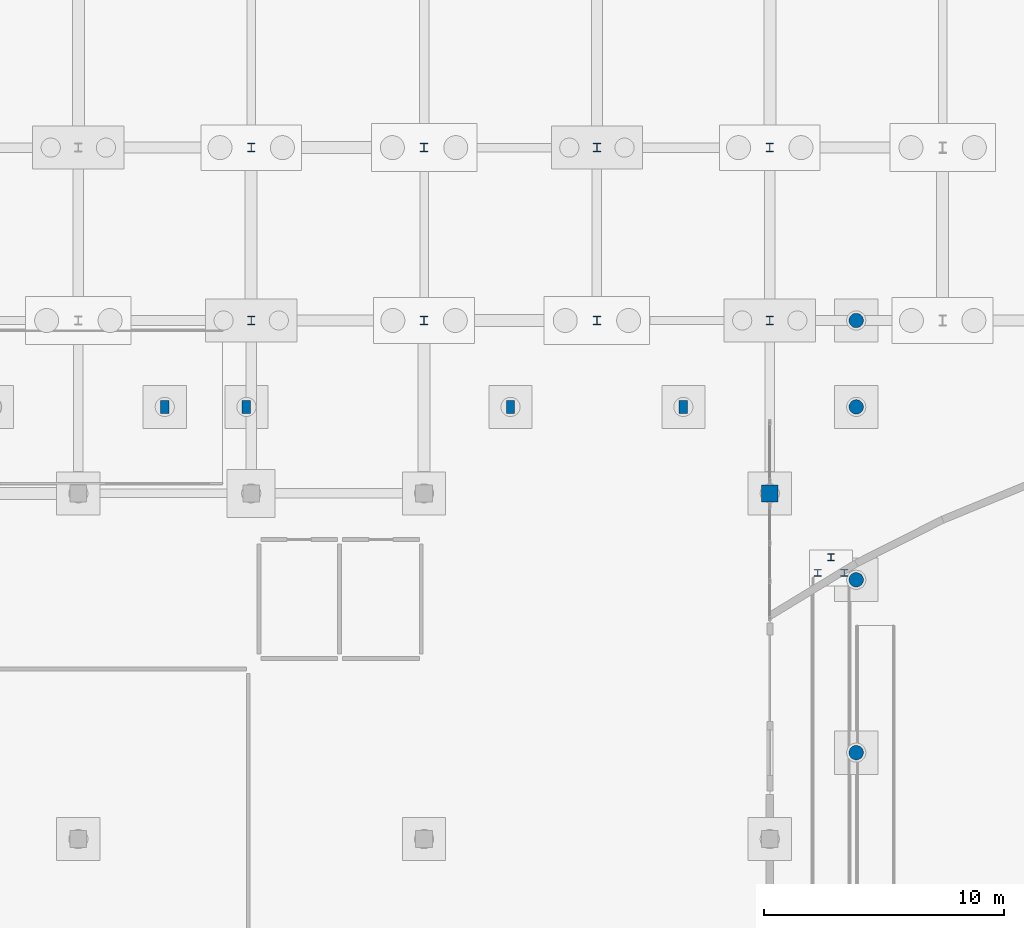
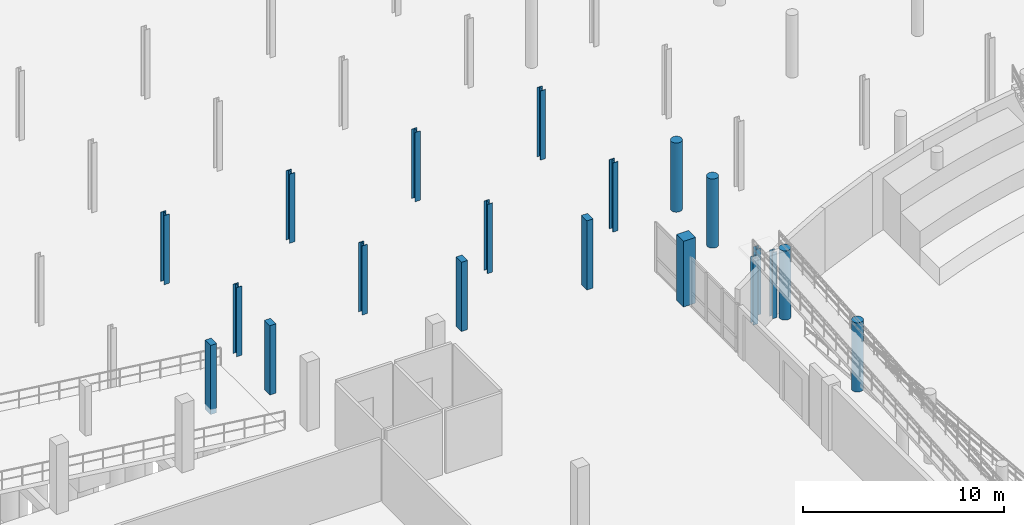
# One storey, part 21 of 56: 20 columns.
"""IFC4 building model written with IfcOpenShell, lengths in metres."""

import ifcopenshell
import ifcopenshell.guid

model = None  # the IFC model being written
_history = None  # IfcOwnerHistory: only IFC2X3 demands one
_inside = {}  # id of a spatial element -> (the spatial element, [elements in it])
_under = {}  # id of a project, library or spatial element -> (it, [spatial elements below it])
_declared = {}  # id of a project -> (the project, [libraries it declares])
_typed = {}  # id of a type object -> (the type object, [elements of that type])
_made_of = {}  # id of a material, layer set ... -> (it, [elements and type objects made of it])


def new_model(schema):
    """Start an empty IFC model of exactly this schema.

    Asked for "IFC4X3", IfcOpenShell would pick the latest addendum, in which some entities
    have other attributes; the version numbers below select the first issue.
    IFC2X3 requires an IfcOwnerHistory on every rooted entity: one is made here for all.
    """
    global model, _history
    if schema == "IFC4X3":
        model = ifcopenshell.file(schema_version=(4, 3, 0, 0))
    else:
        model = ifcopenshell.file(schema=schema)
    _inside.clear()
    _under.clear()
    _declared.clear()
    _typed.clear()
    _made_of.clear()
    _history = None
    if model.schema == "IFC2X3":
        org = make("IfcOrganization", Name="unknown")
        user = make(
            "IfcPersonAndOrganization",
            ThePerson=make("IfcPerson", FamilyName="unknown"),
            TheOrganization=org,
        )
        app = make(
            "IfcApplication",
            ApplicationDeveloper=org,
            Version="unknown",
            ApplicationFullName="unknown",
            ApplicationIdentifier="unknown",
        )
        _history = make(
            "IfcOwnerHistory",
            OwningUser=user,
            OwningApplication=app,
            ChangeAction="ADDED",
            CreationDate=0,
        )
    return model


def make(cls, **values):
    """One entity of the class cls with the attributes given. An attribute that is None is left unset."""
    return model.create_entity(
        cls, **{name: value for name, value in values.items() if value is not None}
    )


def rooted(cls, **values):
    """An entity with a GlobalId (a new one), such as an element, a storey or a relation."""
    return make(cls, GlobalId=ifcopenshell.guid.new(), OwnerHistory=_history, **values)


def si_unit(unit_type, name, prefix=None):
    """IfcSIUnit, for example si_unit("LENGTHUNIT", "METRE", prefix="MILLI")."""
    return make("IfcSIUnit", UnitType=unit_type, Prefix=prefix, Name=name)


def assignment(units):
    """IfcUnitAssignment: the units of a project."""
    return None if units is None else make("IfcUnitAssignment", Units=units)


def point(xyz):
    """IfcCartesianPoint."""
    return None if xyz is None else make("IfcCartesianPoint", Coordinates=xyz)


def direction(xyz):
    """IfcDirection."""
    return None if xyz is None else make("IfcDirection", DirectionRatios=xyz)


def frame(location, z_axis=None, x_axis=None):
    """IfcAxis2Placement3D, a coordinate frame: its origin and axes. An axis left out is left unset."""
    return make(
        "IfcAxis2Placement3D",
        Location=point(location),
        Axis=direction(z_axis),
        RefDirection=direction(x_axis),
    )


def frame_2d(location, x_axis=None):
    """IfcAxis2Placement2D, a coordinate frame in the plane: its origin and x axis."""
    return make(
        "IfcAxis2Placement2D", Location=point(location), RefDirection=direction(x_axis)
    )


def origin():
    """The frame at (0, 0, 0) with its axes left unset."""
    return frame((0.0, 0.0, 0.0))


def origin_2d():
    """The frame at (0, 0) in the plane with its x axis left unset."""
    return frame_2d((0.0, 0.0))


def place(relative_to, where):
    """IfcLocalPlacement: puts the frame where relative to a parent placement (None: the world)."""
    return make(
        "IfcLocalPlacement", PlacementRelTo=relative_to, RelativePlacement=where
    )


def context(
    kind, dimensions, precision=None, world=None, true_north=None, identifier=None
):
    """IfcGeometricRepresentationContext, for example the 3D "Model" context."""
    return make(
        "IfcGeometricRepresentationContext",
        ContextIdentifier=identifier,
        ContextType=kind,
        CoordinateSpaceDimension=dimensions,
        Precision=precision,
        WorldCoordinateSystem=world,
        TrueNorth=true_north,
    )


def subcontext(parent, identifier, kind, view, scale=None):
    """IfcGeometricRepresentationSubContext, for example "Body" below "Model"."""
    return make(
        "IfcGeometricRepresentationSubContext",
        ContextIdentifier=identifier,
        ContextType=kind,
        ParentContext=parent,
        TargetScale=scale,
        TargetView=view,
    )


def project(units=None, contexts=None):
    """IfcProject with its units and contexts."""
    return rooted(
        "IfcProject",
        Name="project",
        RepresentationContexts=contexts,
        UnitsInContext=assignment(units),
    )


def spatial(cls, under=None, at=None, **own):
    """A site, building, storey or space (cls), placed at a placement, below another one or the project."""
    s = rooted(cls, ObjectPlacement=at, **own)
    if under is not None:
        _under.setdefault(under.id(), (under, []))[1].append(s)
    return s


def profile(cls, at=None, kind="AREA", **sizes):
    """A parametric profile (cls). Its sizes go by their IFC names, for example OverallWidth=200.0."""
    return make(cls, ProfileType=kind, Position=at, **sizes)


def rectangle(**sizes):
    """IfcRectangleProfileDef."""
    return profile("IfcRectangleProfileDef", **sizes)


def circle(**sizes):
    """IfcCircleProfileDef."""
    return profile("IfcCircleProfileDef", **sizes)


def i_section(**sizes):
    """IfcIShapeProfileDef."""
    return profile("IfcIShapeProfileDef", **sizes)


def extrude(swept, where, along, depth):
    """IfcExtrudedAreaSolid: the profile swept, set in the frame where, extruded along a direction by depth."""
    return make(
        "IfcExtrudedAreaSolid",
        SweptArea=swept,
        Position=where,
        ExtrudedDirection=direction(along),
        Depth=depth,
    )


def shape(context_of_items, identifier, shape_type, items):
    """IfcShapeRepresentation: the items that make up one representation, for example the "Body"."""
    return make(
        "IfcShapeRepresentation",
        ContextOfItems=context_of_items,
        RepresentationIdentifier=identifier,
        RepresentationType=shape_type,
        Items=items,
    )


def material(Name=None, Category=None):
    """IfcMaterial."""
    return make("IfcMaterial", Name=Name, Category=Category)


def material_profile(
    of_material, cross_section, Name=None, Category=None, Priority=None
):
    """IfcMaterialProfile: a cross section and its material."""
    return make(
        "IfcMaterialProfile",
        Name=Name,
        Material=of_material,
        Profile=cross_section,
        Priority=Priority,
        Category=Category,
    )


def profile_set(profiles, Name=None, composite=None):
    """IfcMaterialProfileSet."""
    return make(
        "IfcMaterialProfileSet",
        Name=Name,
        MaterialProfiles=profiles,
        CompositeProfile=composite,
    )


def made_of(thing, what):
    """Note that an element or type object is made of a material, layer set ...; save() writes the relation."""
    if what is not None:
        _made_of.setdefault(what.id(), (what, []))[1].append(thing)
    return thing


def type_object(cls, material=None, **own):
    """A type object (cls), such as IfcWallType, which elements share."""
    return made_of(rooted(cls, **own), material)


def element(
    cls,
    number,
    at=None,
    inside=None,
    cuts=None,
    type_object=None,
    material=None,
    context=None,
    identifier="Body",
    shape_type=None,
    held_by="IfcProductDefinitionShape",
    body=None,
    shapes=None,
    **own,
):
    """One element of the class cls, such as IfcWall. Its Tag is "e" and its number.

    at: its placement. inside: the storey or other place that contains it. cuts: it is an
    opening in that element (IfcRelVoidsElement). A single representation is given by context,
    identifier, shape_type and body (its items); several are given by shapes. held_by: the class
    of the entity that holds the representations. save() writes the other relations.
    """
    e = rooted(cls, Tag="e%d" % number, ObjectPlacement=at, **own)
    if body is not None:
        shapes = [shape(context, identifier, shape_type, body)]
    if shapes is not None:
        e.Representation = make(held_by, Representations=shapes)
    if inside is not None:
        _inside.setdefault(inside.id(), (inside, []))[1].append(e)
    if cuts is not None:
        rooted(
            "IfcRelVoidsElement", RelatingBuildingElement=cuts, RelatedOpeningElement=e
        )
    if type_object is not None:
        _typed.setdefault(type_object.id(), (type_object, []))[1].append(e)
    return made_of(e, material)


def aggregate(whole, parts):
    """IfcRelAggregates: a whole, such as a stair, and the parts it consists of."""
    return rooted("IfcRelAggregates", RelatingObject=whole, RelatedObjects=parts)


def save(model, path):
    """Write the relations noted so far, then the file.

    IfcRelAggregates (storeys below a building ...), IfcRelContainedInSpatialStructure (elements
    in a storey), IfcRelDefinesByType, IfcRelAssociatesMaterial and IfcRelDeclares: one each for
    every whole, place, type object, material and project.
    """
    for whole, parts in _under.values():
        aggregate(whole, parts)
    for where, things in _inside.values():
        rooted(
            "IfcRelContainedInSpatialStructure",
            RelatedElements=things,
            RelatingStructure=where,
        )
    for kind, things in _typed.values():
        rooted("IfcRelDefinesByType", RelatedObjects=things, RelatingType=kind)
    for what, things in _made_of.values():
        rooted("IfcRelAssociatesMaterial", RelatedObjects=things, RelatingMaterial=what)
    for by, libraries in _declared.values():
        rooted("IfcRelDeclares", RelatingContext=by, RelatedDefinitions=libraries)
    model.write(path)


model = new_model("IFC4")

# Units and contexts
model_context = context("Model", 3, precision=1e-05, world=origin(), true_north=direction((0.0, 1.0)))
body_context = subcontext(model_context, "Body", "Model", "MODEL_VIEW")
ifc_project = project(units=[si_unit("LENGTHUNIT", "METRE"), si_unit("AREAUNIT", "SQUARE_METRE"), si_unit("VOLUMEUNIT", "CUBIC_METRE"), si_unit("PLANEANGLEUNIT", "RADIAN"), si_unit("MASSUNIT", "GRAM", prefix="KILO")], contexts=[model_context])

# Site, building, storey
site_placement = place(None, origin())
site = spatial("IfcSite", under=ifc_project, at=site_placement, CompositionType="ELEMENT")
building_placement = place(site_placement, origin())
building = spatial("IfcBuilding", under=site, at=building_placement, Name="Suanplinth Sawtooth Commons", CompositionType="ELEMENT")
storey_placement = place(building_placement, frame((0.0, 0.0, -4.199951171875)))
storey = spatial("IfcBuildingStorey", under=building, at=storey_placement, Name="B1", CompositionType="ELEMENT", Elevation=-4.199951171875)

# Columns
ifc_material_1 = material(Name="Concrete C40/50", Category="concrete")
ifc_material_profile_1 = material_profile(ifc_material_1, rectangle(XDim=0.699951171875, YDim=0.699951171875, at=origin_2d()), Name="RC-COL 700x700")
ifc_profile_set_1 = profile_set([ifc_material_profile_1], Name="Concrete C40/50")
column_type_1 = type_object("IfcColumnType", Name="C-02", PredefinedType="COLUMN", material=ifc_profile_set_1)
column_placement = place(storey_placement, frame((57.60009765625, 43.199951171875, 0.0), z_axis=(0.0, 0.0, 1.0), x_axis=(1.0, 0.0, 0.0)))
element("IfcColumn", 1, at=column_placement, inside=storey, type_object=column_type_1, Name="Column B1 9/G", PredefinedType="COLUMN", context=body_context, shape_type="SweptSolid", body=[
    extrude(rectangle(XDim=0.699951171875, YDim=0.699951171875, at=origin_2d()), origin(), (0.0, 0.0, 1.0), 3.97998046875),
])
ifc_material_profile_2 = material_profile(ifc_material_1, circle(Radius=0.300048828125, at=origin_2d()), Name="RC-CIRC D600")
ifc_profile_set_2 = profile_set([ifc_material_profile_2], Name="Concrete C40/50")
column_type_2 = type_object("IfcColumnType", Name="C-08", PredefinedType="COLUMN", material=ifc_profile_set_2)
for number, where, z_axis, x_axis, name in (
    (2, (61.199951171875, 32.39990234375, 0.0), (0.0, 0.0, 1.0), (1.0, 0.0, 0.0), "West Breezeway Substructure Pier W3"),
    (3, (61.199951171875, 39.60009765625, 0.0), (0.0, 0.0, 1.0), (1.0, 0.0, 0.0), "West Breezeway Substructure Pier W4"),
    (4, (61.199951171875, 46.800048828125, 0.0), (0.0, 0.0, 1.0), (1.0, 0.0, 0.0), "West Breezeway Substructure Pier W5"),
    (5, (61.199951171875, 50.39990234375, 0.0), (0.0, 0.0, 1.0), (1.0, 0.0, 0.0), "West Breezeway Substructure Pier W6"),
):
    element("IfcColumn", number, at=place(storey_placement, frame(where, z_axis=z_axis, x_axis=x_axis)), inside=storey, type_object=column_type_2, Name=name, PredefinedType="COLUMN", context=body_context, shape_type="SweptSolid", body=[
        extrude(circle(Radius=0.300048828125, at=origin_2d()), origin(), (0.0, 0.0, 1.0), 4.199951171875),
    ])
ifc_material_2 = material(Name="Steel S355JR", Category="steel")
ifc_material_profile_3 = material_profile(ifc_material_2, i_section(OverallWidth=0.300048828125, OverallDepth=0.360107421875, WebThickness=0.012451171875, FlangeThickness=0.0224609375, at=origin_2d()), Name="HEB 360")
ifc_profile_set_3 = profile_set([ifc_material_profile_3], Name="Steel S355JR")
column_type_3 = type_object("IfcColumnType", Name="C-10", PredefinedType="COLUMN", material=ifc_profile_set_3)
for number, where, z_axis, x_axis, name in (
    (6, (36.0, 50.39990234375, 0.0), (0.0, 0.0, 1.0), (1.0, 0.0, 0.0), "Column B1 6/H"),
    (7, (36.0, 57.60009765625, 0.0), (0.0, 0.0, 1.0), (1.0, 0.0, 0.0), "Column B1 6/J"),
    (8, (43.199951171875, 50.39990234375, 0.0), (0.0, 0.0, 1.0), (1.0, 0.0, 0.0), "Column B1 7/H"),
    (9, (43.199951171875, 57.60009765625, 0.0), (0.0, 0.0, 1.0), (1.0, 0.0, 0.0), "Column B1 7/J"),
    (10, (50.39990234375, 50.39990234375, 0.0), (0.0, 0.0, 1.0), (1.0, 0.0, 0.0), "Column B1 8/H"),
    (11, (50.39990234375, 57.60009765625, 0.0), (0.0, 0.0, 1.0), (1.0, 0.0, 0.0), "Column B1 8/J"),
    (12, (57.60009765625, 50.39990234375, 0.0), (0.0, 0.0, 1.0), (1.0, 0.0, 0.0), "Column B1 9/H"),
    (13, (57.60009765625, 57.60009765625, 0.0), (0.0, 0.0, 1.0), (1.0, 0.0, 0.0), "Column B1 9/J"),
):
    element("IfcColumn", number, at=place(storey_placement, frame(where, z_axis=z_axis, x_axis=x_axis)), inside=storey, type_object=column_type_3, Name=name, PredefinedType="COLUMN", context=body_context, shape_type="SweptSolid", body=[
        extrude(i_section(OverallWidth=0.300048828125, OverallDepth=0.360107421875, WebThickness=0.012451171875, FlangeThickness=0.0224609375, at=origin_2d()), origin(), (0.0, 0.0, 1.0), 4.199951171875),
    ])
ifc_material_profile_4 = material_profile(ifc_material_2, i_section(OverallWidth=0.280029296875, OverallDepth=0.280029296875, WebThickness=0.010498046875, FlangeThickness=0.01806640625, at=origin_2d()), Name="HEB 280")
ifc_profile_set_4 = profile_set([ifc_material_profile_4], Name="Steel S355JR")
column_type_4 = type_object("IfcColumnType", Name="C-11", PredefinedType="COLUMN", material=ifc_profile_set_4)
for number, where, z_axis, x_axis, name in (
    (14, (59.60009765625, 39.88818359375, 0.0), (0.0, 0.0, 1.0), (1.0, 0.0, 0.0), "RMP-AR-01 Arrival Landing Pier 1"),
    (15, (60.699951171875, 39.88818359375, 0.0), (0.0, 0.0, 1.0), (1.0, 0.0, 0.0), "RMP-AR-01 Arrival Landing Pier 2"),
    (16, (60.14990234375, 40.5380859375, 0.0), (0.0, 0.0, 1.0), (1.0, 0.0, 0.0), "RMP-AR-01 Arrival Landing Pier 3"),
):
    element("IfcColumn", number, at=place(storey_placement, frame(where, z_axis=z_axis, x_axis=x_axis)), inside=storey, type_object=column_type_4, Name=name, PredefinedType="COLUMN", context=body_context, shape_type="SweptSolid", body=[
        extrude(i_section(OverallWidth=0.280029296875, OverallDepth=0.280029296875, WebThickness=0.010498046875, FlangeThickness=0.01806640625, at=origin_2d()), origin(), (0.0, 0.0, 1.0), 4.010009765625),
    ])
ifc_material_3 = material(Name="Precast concrete C40/50", Category="concrete")
ifc_material_profile_5 = material_profile(ifc_material_3, rectangle(XDim=0.35009765625, YDim=0.550048828125, at=origin_2d()), Name="PC-PIL 350x550")
ifc_profile_set_5 = profile_set([ifc_material_profile_5], Name="Precast concrete C40/50")
column_type_5 = type_object("IfcColumnType", Name="C-13", PredefinedType="PILASTER", material=ifc_profile_set_5)
for number, where, z_axis, x_axis, name in (
    (17, (32.39990234375, 46.800048828125, 0.0), (0.0, 0.0, 1.0), (1.0, 0.0, 0.0), "Veranda Colonnade Pilaster B1 P3"),
    (18, (35.800048828125, 46.800048828125, 0.0), (0.0, 0.0, 1.0), (1.0, 0.0, 0.0), "Veranda Colonnade Pilaster B1 P4"),
    (19, (46.800048828125, 46.800048828125, 0.0), (0.0, 0.0, 1.0), (1.0, 0.0, 0.0), "Veranda Colonnade Pilaster B1 P5"),
    (20, (54.0, 46.800048828125, 0.0), (0.0, 0.0, 1.0), (1.0, 0.0, 0.0), "Veranda Colonnade Pilaster B1 P6"),
):
    element("IfcColumn", number, at=place(storey_placement, frame(where, z_axis=z_axis, x_axis=x_axis)), inside=storey, type_object=column_type_5, Name=name, PredefinedType="PILASTER", context=body_context, shape_type="SweptSolid", body=[
        extrude(rectangle(XDim=0.35009765625, YDim=0.550048828125, at=origin_2d()), origin(), (0.0, 0.0, 1.0), 4.199951171875),
    ])

save(model, "model.ifc")
